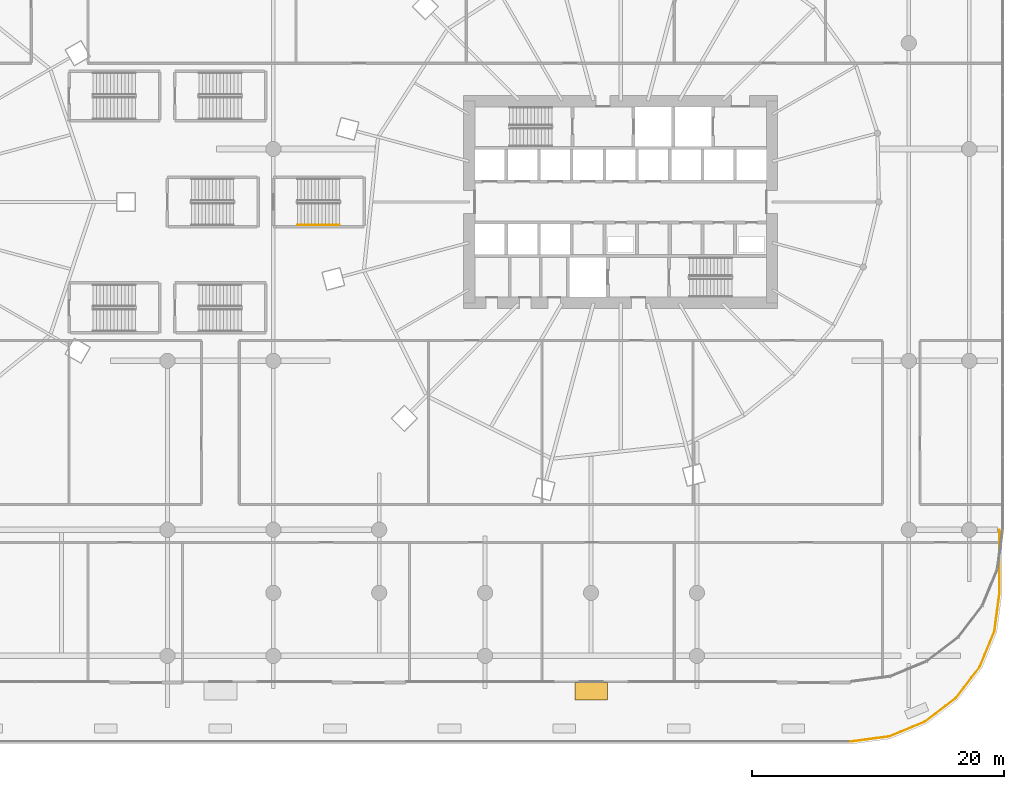
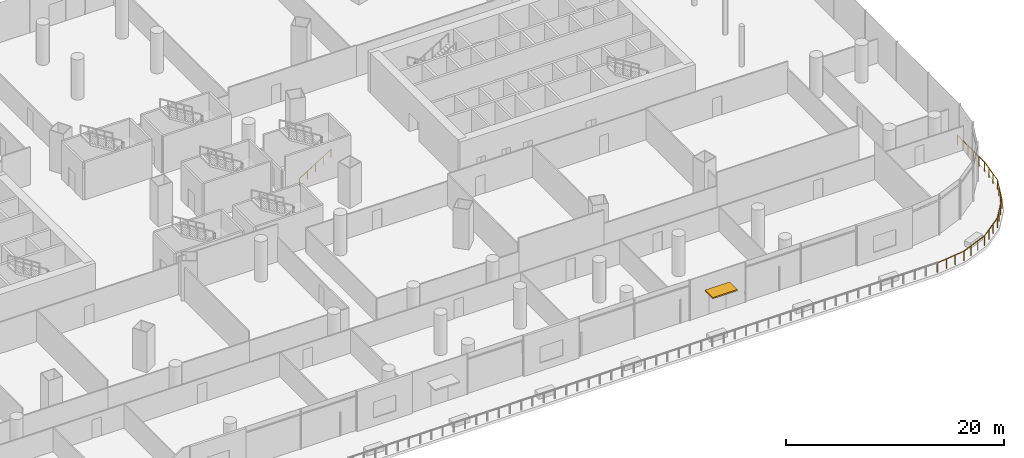
# One storey, part 39 of 43: 2 railings, 1 shading device.
"""IFC4 building model written with IfcOpenShell, lengths in metres."""

from ifc_helpers import new_model, si_unit, direction, frame, origin, origin_2d, place, context, subcontext, project, spatial, rectangle, circle, extrude, material, layer, layer_set, type_object, element, save


model = new_model("IFC4")

# Units and contexts
model_context = context("Model", 3, precision=1e-05, world=origin(), true_north=direction((0.0, 1.0)))
body_context = subcontext(model_context, "Body", "Model", "MODEL_VIEW")
ifc_project = project(units=[si_unit("LENGTHUNIT", "METRE"), si_unit("AREAUNIT", "SQUARE_METRE"), si_unit("VOLUMEUNIT", "CUBIC_METRE"), si_unit("PLANEANGLEUNIT", "RADIAN"), si_unit("MASSUNIT", "GRAM", prefix="KILO")], contexts=[model_context])

# Site, building, storey
site_placement = place(None, origin())
site = spatial("IfcSite", under=ifc_project, at=site_placement, CompositionType="ELEMENT")
building_placement = place(site_placement, origin())
building = spatial("IfcBuilding", under=site, at=building_placement, Name="Rimbun Link Towers", CompositionType="ELEMENT")
storey_placement = place(building_placement, frame((0.0, 0.0, 12.0)))
storey = spatial("IfcBuildingStorey", under=building, at=storey_placement, Name="L02", CompositionType="ELEMENT", Elevation=12.0)

# Railing
ifc_material_1 = material(Name="Toughened laminated glass, stainless steel grade 316 posts and cap rail", Category="steel")
railing_type_1 = type_object("IfcRailingType", Name="GUARD glass balustrade with stainless cap rail", PredefinedType="BALUSTRADE", material=ifc_material_1)
railing_1_placement = place(storey_placement, frame((49.98681640625, -42.800048828125, 0.0)))
element("IfcRailing", 1, at=railing_1_placement, inside=storey, type_object=railing_type_1, Name="GUARD glass balustrade", PredefinedType="BALUSTRADE", context=body_context, shape_type="SweptSolid", body=[
    extrude(circle(Radius=0.02392578125, at=origin_2d()), frame((0.0, 0.0, 1.076171875), z_axis=(0.991443009305, 0.130540259305, 0.0), x_axis=(-0.130540259305, 0.991443009305, 0.0)), (0.0, 0.0, 1.0), 3.09326171875),
    extrude(circle(Radius=0.02392578125, at=origin_2d()), frame((3.06689453125, 0.40380859375, 1.076171875), z_axis=(0.92386997747, 0.382706499462, 0.0), x_axis=(-0.382706499462, 0.92386997747, 0.0)), (0.0, 0.0, 1.0), 3.079833984375),
    extrude(circle(Radius=0.02392578125, at=origin_2d()), frame((5.912353515625, 1.58251953125, 1.076171875), z_axis=(0.793398353015, 0.608702762794, 0.0), x_axis=(-0.608702762794, 0.793398353015, 0.0)), (0.0, 0.0, 1.0), 3.079833984375),
    extrude(circle(Radius=0.02392578125, at=origin_2d()), frame((8.35595703125, 3.457275390625, 1.076171875), z_axis=(0.608702762794, 0.793398353015, 0.0), x_axis=(-0.793398353015, 0.608702762794, 0.0)), (0.0, 0.0, 1.0), 3.079833984375),
    extrude(circle(Radius=0.02392578125, at=origin_2d()), frame((10.230712890625, 5.90087890625, 1.076171875), z_axis=(0.382706499462, 0.92386997747, 0.0), x_axis=(-0.92386997747, 0.382706499462, 0.0)), (0.0, 0.0, 1.0), 3.079833984375),
    extrude(circle(Radius=0.02392578125, at=origin_2d()), frame((11.409423828125, 8.746337890625, 1.076171875), z_axis=(0.130540259305, 0.991443009305, 0.0), x_axis=(-0.991443009305, 0.130540259305, 0.0)), (0.0, 0.0, 1.0), 3.09326171875),
    extrude(circle(Radius=0.02392578125, at=origin_2d()), frame((11.813232421875, 11.813232421875, 1.076171875), z_axis=(0.0, 1.0, 0.0), x_axis=(-1.0, 0.0, 0.0)), (0.0, 0.0, 1.0), 4.98681640625),
    extrude(circle(Radius=0.02099609375, at=origin_2d()), origin(), (0.0, 0.0, 1.0), 1.052001953125),
    extrude(circle(Radius=0.02099609375, at=origin_2d()), frame((1.022216796875, 0.134521484375, 0.0)), (0.0, 0.0, 1.0), 1.052001953125),
    extrude(circle(Radius=0.02099609375, at=origin_2d()), frame((2.044677734375, 0.269287109375, 0.0)), (0.0, 0.0, 1.0), 1.052001953125),
    extrude(circle(Radius=0.02099609375, at=origin_2d()), frame((3.06689453125, 0.40380859375, 0.0)), (0.0, 0.0, 1.0), 1.052001953125),
    extrude(circle(Radius=0.02099609375, at=origin_2d()), frame((4.015380859375, 0.796630859375, 0.0)), (0.0, 0.0, 1.0), 1.052001953125),
    extrude(circle(Radius=0.02099609375, at=origin_2d()), frame((4.9638671875, 1.189697265625, 0.0)), (0.0, 0.0, 1.0), 1.052001953125),
    extrude(circle(Radius=0.02099609375, at=origin_2d()), frame((5.912353515625, 1.58251953125, 0.0)), (0.0, 0.0, 1.0), 1.052001953125),
    extrude(circle(Radius=0.02099609375, at=origin_2d()), frame((6.726806640625, 2.20751953125, 0.0)), (0.0, 0.0, 1.0), 1.052001953125),
    extrude(circle(Radius=0.02099609375, at=origin_2d()), frame((7.54150390625, 2.832275390625, 0.0)), (0.0, 0.0, 1.0), 1.052001953125),
    extrude(circle(Radius=0.02099609375, at=origin_2d()), frame((8.35595703125, 3.457275390625, 0.0)), (0.0, 0.0, 1.0), 1.052001953125),
    extrude(circle(Radius=0.02099609375, at=origin_2d()), frame((8.98095703125, 4.271728515625, 0.0)), (0.0, 0.0, 1.0), 1.052001953125),
    extrude(circle(Radius=0.02099609375, at=origin_2d()), frame((9.605712890625, 5.08642578125, 0.0)), (0.0, 0.0, 1.0), 1.052001953125),
    extrude(circle(Radius=0.02099609375, at=origin_2d()), frame((10.230712890625, 5.90087890625, 0.0)), (0.0, 0.0, 1.0), 1.052001953125),
    extrude(circle(Radius=0.02099609375, at=origin_2d()), frame((10.62353515625, 6.849365234375, 0.0)), (0.0, 0.0, 1.0), 1.052001953125),
    extrude(circle(Radius=0.02099609375, at=origin_2d()), frame((11.0166015625, 7.7978515625, 0.0)), (0.0, 0.0, 1.0), 1.052001953125),
    extrude(circle(Radius=0.02099609375, at=origin_2d()), frame((11.409423828125, 8.746337890625, 0.0)), (0.0, 0.0, 1.0), 1.052001953125),
    extrude(circle(Radius=0.02099609375, at=origin_2d()), frame((11.5439453125, 9.7685546875, 0.0)), (0.0, 0.0, 1.0), 1.052001953125),
    extrude(circle(Radius=0.02099609375, at=origin_2d()), frame((11.6787109375, 10.791015625, 0.0)), (0.0, 0.0, 1.0), 1.052001953125),
    extrude(circle(Radius=0.02099609375, at=origin_2d()), frame((11.813232421875, 11.813232421875, 0.0)), (0.0, 0.0, 1.0), 1.052001953125),
    extrude(circle(Radius=0.02099609375, at=origin_2d()), frame((11.813232421875, 12.810546875, 0.0)), (0.0, 0.0, 1.0), 1.052001953125),
    extrude(circle(Radius=0.02099609375, at=origin_2d()), frame((11.813232421875, 13.807861328125, 0.0)), (0.0, 0.0, 1.0), 1.052001953125),
    extrude(circle(Radius=0.02099609375, at=origin_2d()), frame((11.813232421875, 14.805419921875, 0.0)), (0.0, 0.0, 1.0), 1.052001953125),
    extrude(circle(Radius=0.02099609375, at=origin_2d()), frame((11.813232421875, 15.802734375, 0.0)), (0.0, 0.0, 1.0), 1.052001953125),
    extrude(circle(Radius=0.02099609375, at=origin_2d()), frame((11.813232421875, 16.800048828125, 0.0)), (0.0, 0.0, 1.0), 1.052001953125),
])

# Shading device
ifc_material_2 = material(Name="Aluminium 6063-T6 louvre blades in a powder-coated aluminium frame", Category="aluminium")
ifc_layer = layer(ifc_material_2, 0.139892578125)
ifc_layer_set = layer_set([ifc_layer], Name="RAIN CANOPY louvre blades 2600X1400")
shading_device_type = type_object("IfcShadingDeviceType", Name="RAIN CANOPY louvre blades 2600X1400", PredefinedType="AWNING", material=ifc_layer_set)
shading_device_placement = place(storey_placement, frame((29.411865234375, -38.800048828125, 2.7001953125), z_axis=(0.0, 0.0, 1.0), x_axis=(-1.0, 0.0, 0.0)))
element("IfcShadingDevice", 2, at=shading_device_placement, inside=storey, type_object=shading_device_type, Name="RAIN CANOPY over terrace door", PredefinedType="AWNING", context=body_context, shape_type="SweptSolid", body=[
    extrude(rectangle(XDim=2.60009765625, YDim=1.39990234375, at=origin_2d()), origin(), (0.0, 0.0, 1.0), 0.139892578125),
])

# Railing
ifc_material_3 = material(Name="Stainless steel grade 316", Category="steel")
railing_type_2 = type_object("IfcRailingType", Name="Stair handrail", PredefinedType="HANDRAIL", material=ifc_material_3)
railing_2_placement = place(storey_placement, frame((6.10009765625, -1.824951171875, 0.173095703125)))
element("IfcRailing", 3, at=railing_2_placement, inside=storey, type_object=railing_type_2, Name="L02 PS5 stair handrail 1", PredefinedType="HANDRAIL", context=body_context, shape_type="SweptSolid", body=[
    extrude(circle(Radius=0.02392578125, at=origin_2d()), frame((0.0, 0.0, 0.8759765625), z_axis=(0.850606129759, 0.0, 0.525803396734), x_axis=(0.0, 1.0, 0.0)), (0.0, 0.0, 1.0), 3.949951171875),
    extrude(circle(Radius=0.02099609375, at=origin_2d()), origin(), (0.0, 0.0, 1.0), 0.851806640625),
    extrude(circle(Radius=0.02099609375, at=origin_2d()), frame((0.83984375, 0.0, 0.519287109375)), (0.0, 0.0, 1.0), 0.851806640625),
    extrude(circle(Radius=0.02099609375, at=origin_2d()), frame((1.679931640625, 0.0, 1.03857421875)), (0.0, 0.0, 1.0), 0.851806640625),
    extrude(circle(Radius=0.02099609375, at=origin_2d()), frame((2.52001953125, 0.0, 1.5576171875)), (0.0, 0.0, 1.0), 0.851806640625),
    extrude(circle(Radius=0.02099609375, at=origin_2d()), frame((3.35986328125, 0.0, 2.076904296875)), (0.0, 0.0, 1.0), 0.851806640625),
])

save(model, "model.ifc")
